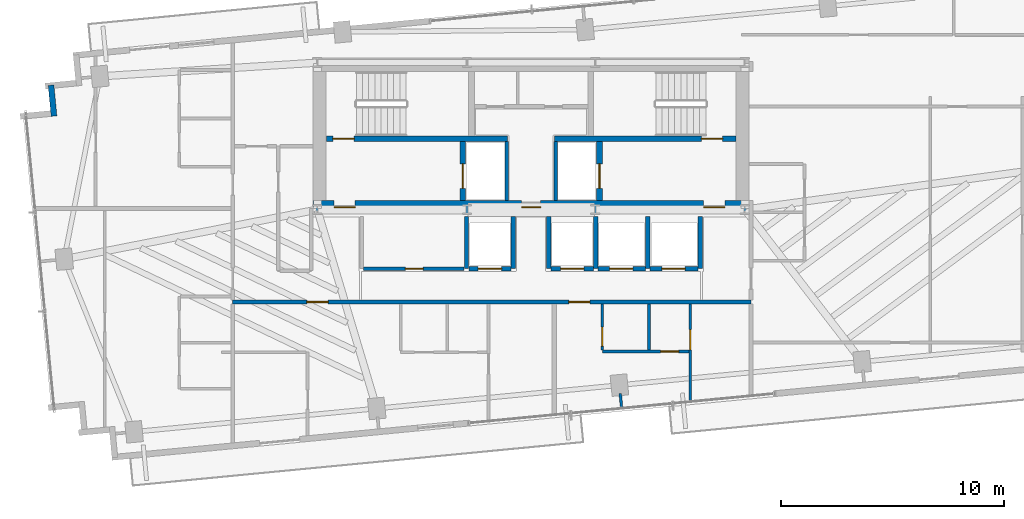
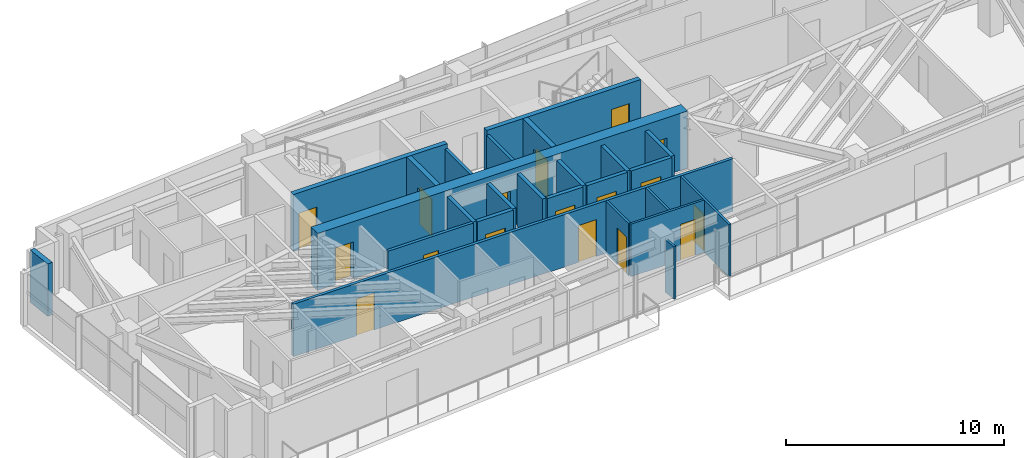
# One storey, part 14 of 18: 25 walls, 17 doors, 17 openings.
"""IFC4 building model written with IfcOpenShell, lengths in metres."""

from ifc_helpers import new_model, si_unit, direction, frame, frame_2d, origin, place, context, subcontext, project, spatial, rectangle, extrude, source, transform, mapped, material, layer, layer_set, type_object, type_shapes, element, fill, save


model = new_model("IFC4")

# Units and contexts
model_context = context("Model", 3, precision=1e-05, world=origin(), true_north=direction((0.0, 1.0)))
body_context = subcontext(model_context, "Body", "Model", "MODEL_VIEW")
ifc_project = project(units=[si_unit("LENGTHUNIT", "METRE"), si_unit("AREAUNIT", "SQUARE_METRE"), si_unit("VOLUMEUNIT", "CUBIC_METRE"), si_unit("PLANEANGLEUNIT", "RADIAN"), si_unit("MASSUNIT", "GRAM", prefix="KILO")], contexts=[model_context])

# Site, building, storey
site_placement = place(None, origin())
site = spatial("IfcSite", under=ifc_project, at=site_placement, CompositionType="ELEMENT")
building_placement = place(site_placement, origin())
building = spatial("IfcBuilding", under=site, at=building_placement, Name="Astriad Promenade Condominiums", CompositionType="ELEMENT")
storey_placement = place(building_placement, frame((0.0, 0.0, 182.60009765625)))
storey = spatial("IfcBuildingStorey", under=building, at=storey_placement, Name="L52", CompositionType="ELEMENT", Elevation=182.60009765625)

# Wall, openings, doors
ifc_material_1 = material(Name="Concrete C50/60", Category="concrete")
ifc_layer_1 = layer(ifc_material_1, 0.60009765625)
ifc_layer_set_1 = layer_set([ifc_layer_1], Name="Concrete C50/60")
wall_type_1 = type_object("IfcWallType", Name="CW-SHEAR-600", PredefinedType="SHEAR", material=ifc_layer_set_1)
wall_1_placement = place(storey_placement, frame((26.199951171875, 17.5, 0.0), z_axis=(0.0, 0.0, 1.0), x_axis=(1.0, 0.0, 0.0)))
wall_1 = element("IfcWall", 1, at=wall_1_placement, inside=storey, type_object=wall_type_1, Name="CW-CORE-S-L52", PredefinedType="SHEAR", context=body_context, shape_type="SweptSolid", body=[
    extrude(rectangle(XDim=19.60009765625, YDim=0.60009765625, at=frame_2d((9.800048828125, 0.0))), origin(), (0.0, 0.0, 1.0), 3.199951171875),
])
opening_1_placement = place(wall_1_placement, frame((0.949951171875, 0.0, 0.0)))
opening_1 = element("IfcOpeningElement", 2, at=opening_1_placement, cuts=wall_1, Name="Opening FD90-ST-095", PredefinedType="OPENING", context=body_context, shape_type="SweptSolid", body=[
    extrude(rectangle(XDim=0.949951171875, YDim=2.06005859375, at=frame_2d((0.47509765625, 1.030029296875))), frame((0.0, 0.31005859375, 0.0), z_axis=(0.0, -1.0, 0.0), x_axis=(1.0, 0.0, 0.0)), (0.0, 0.0, 1.0), 0.6201171875),
])
opening_2_placement = place(wall_1_placement, frame((9.3798828125, 0.0, 0.0)))
opening_2 = element("IfcOpeningElement", 3, at=opening_2_placement, cuts=wall_1, Name="Opening FD60-ULOW-085", PredefinedType="OPENING", context=body_context, shape_type="SweptSolid", body=[
    extrude(rectangle(XDim=0.85009765625, YDim=2.0, at=frame_2d((0.425048828125, 1.0))), frame((0.0, 0.31005859375, 0.0), z_axis=(0.0, -1.0, 0.0), x_axis=(1.0, 0.0, 0.0)), (0.0, 0.0, 1.0), 0.6201171875),
])
opening_3_placement = place(wall_1_placement, frame((17.550048828125, 0.0, 0.0)))
opening_3 = element("IfcOpeningElement", 4, at=opening_3_placement, cuts=wall_1, Name="Opening FD90-ST-095", PredefinedType="OPENING", context=body_context, shape_type="SweptSolid", body=[
    extrude(rectangle(XDim=0.949951171875, YDim=2.06005859375, at=frame_2d((0.47509765625, 1.030029296875))), frame((0.0, 0.31005859375, 0.0), z_axis=(0.0, -1.0, 0.0), x_axis=(1.0, 0.0, 0.0)), (0.0, 0.0, 1.0), 0.6201171875),
])
ifc_material_2 = material(Name="Fire-Rated Hollow Metal Stair Door")
door_type_1 = type_object("IfcDoorType", Name="FD90-ST-095", OperationType="NOTDEFINED", PredefinedType="DOOR", material=ifc_material_2)
shared_shape_1 = source(origin(), body_context, "Body", "SweptSolid", [
    extrude(rectangle(XDim=0.949951171875, YDim=2.06005859375, at=frame_2d((0.47509765625, 1.030029296875))), frame((0.0, 0.02490234375, 0.0), z_axis=(0.0, -1.0, 0.0), x_axis=(1.0, 0.0, 0.0)), (0.0, 0.0, 1.0), 0.050048828125),
])
type_shapes(door_type_1, [shared_shape_1])
door_1_placement = place(opening_1_placement, origin())
door_1 = element("IfcDoor", 5, at=door_1_placement, inside=storey, type_object=door_type_1, Name="D-FFW-L52", OperationType="SINGLE_SWING_LEFT", OverallHeight=2.06005859375, OverallWidth=0.949951171875, PredefinedType="DOOR", context=body_context, shape_type="MappedRepresentation", body=[
    mapped(shared_shape_1, transform((0.0, 0.0, 0.0), scale=1.0)),
])
fill(opening_1, door_1)
door_2_placement = place(opening_3_placement, origin())
door_2 = element("IfcDoor", 6, at=door_2_placement, inside=storey, type_object=door_type_1, Name="D-FFE-L52", OperationType="SINGLE_SWING_RIGHT", OverallHeight=2.06005859375, OverallWidth=0.949951171875, PredefinedType="DOOR", context=body_context, shape_type="MappedRepresentation", body=[
    mapped(shared_shape_1, transform((0.0, 0.0, 0.0), scale=1.0)),
])
fill(opening_3, door_2)
ifc_material_3 = material(Name="Solid-Core Low-Headroom Fire Door")
door_type_2 = type_object("IfcDoorType", Name="FD60-ULOW-085", OperationType="NOTDEFINED", PredefinedType="DOOR", material=ifc_material_3)
shared_shape_2 = source(origin(), body_context, "Body", "SweptSolid", [
    extrude(rectangle(XDim=0.85009765625, YDim=2.0, at=frame_2d((0.425048828125, 1.0))), frame((0.0, 0.02490234375, 0.0), z_axis=(0.0, -1.0, 0.0), x_axis=(1.0, 0.0, 0.0)), (0.0, 0.0, 1.0), 0.050048828125),
])
type_shapes(door_type_2, [shared_shape_2])
door_3_placement = place(opening_2_placement, origin())
door_3 = element("IfcDoor", 7, at=door_3_placement, inside=storey, type_object=door_type_2, Name="D-CSL-L52", OperationType="SINGLE_SWING_RIGHT", OverallHeight=2.0, OverallWidth=0.85009765625, PredefinedType="DOOR", context=body_context, shape_type="MappedRepresentation", body=[
    mapped(shared_shape_2, transform((0.0, 0.0, 0.0), scale=1.0)),
])
fill(opening_2, door_3)

# Wall, opening, door
ifc_layer_2 = layer(ifc_material_1, 0.25)
ifc_layer_set_2 = layer_set([ifc_layer_2], Name="Concrete C50/60")
wall_type_2 = type_object("IfcWallType", Name="WALL-CORE-INT-250", PredefinedType="SOLIDWALL", material=ifc_layer_set_2)
wall_2_placement = place(storey_placement, frame((26.802001953125, 20.574951171875, 0.0), z_axis=(0.0, 0.0, 1.0), x_axis=(1.0, 0.0, 0.0)))
wall_2 = element("IfcWall", 8, at=wall_2_placement, inside=storey, type_object=wall_type_2, Name="CW-INT-H1-L52", PredefinedType="SOLIDWALL", context=body_context, shape_type="SweptSolid", body=[
    extrude(rectangle(XDim=8.14794921875, YDim=0.25, at=frame_2d((4.073974609375, 0.0))), origin(), (0.0, 0.0, 1.0), 3.199951171875),
])
opening_4_placement = place(wall_2_placement, frame((0.298095703125, 0.0, 0.0)))
opening_4 = element("IfcOpeningElement", 9, at=opening_4_placement, cuts=wall_2, Name="Opening FD90-ST-095", PredefinedType="OPENING", context=body_context, shape_type="SweptSolid", body=[
    extrude(rectangle(XDim=0.949951171875, YDim=2.06005859375, at=frame_2d((0.47509765625, 1.030029296875))), frame((0.0, 0.135009765625, 0.0), z_axis=(0.0, -1.0, 0.0), x_axis=(1.0, 0.0, 0.0)), (0.0, 0.0, 1.0), 0.27001953125),
])
door_4_placement = place(opening_4_placement, origin())
door_4 = element("IfcDoor", 10, at=door_4_placement, inside=storey, type_object=door_type_1, Name="D-ST1-L52", OperationType="SINGLE_SWING_LEFT", OverallHeight=2.06005859375, OverallWidth=0.949951171875, PredefinedType="DOOR", context=body_context, shape_type="MappedRepresentation", body=[
    mapped(shared_shape_1, transform((0.0, 0.0, 0.0), scale=1.0)),
])
fill(opening_4, door_4)

wall_3_placement = place(storey_placement, frame((37.050048828125, 20.574951171875, 0.0), z_axis=(0.0, 0.0, 1.0), x_axis=(1.0, 0.0, 0.0)))
wall_3 = element("IfcWall", 11, at=wall_3_placement, inside=storey, type_object=wall_type_2, Name="CW-INT-H2-L52", PredefinedType="SOLIDWALL", context=body_context, shape_type="SweptSolid", body=[
    extrude(rectangle(XDim=8.14794921875, YDim=0.25, at=frame_2d((4.073974609375, 0.0))), origin(), (0.0, 0.0, 1.0), 3.199951171875),
])
opening_5_placement = place(wall_3_placement, frame((6.60009765625, 0.0, 0.0)))
opening_5 = element("IfcOpeningElement", 12, at=opening_5_placement, cuts=wall_3, Name="Opening FD90-ST-095", PredefinedType="OPENING", context=body_context, shape_type="SweptSolid", body=[
    extrude(rectangle(XDim=0.949951171875, YDim=2.06005859375, at=frame_2d((0.47509765625, 1.030029296875))), frame((0.0, 0.135009765625, 0.0), z_axis=(0.0, -1.0, 0.0), x_axis=(1.0, 0.0, 0.0)), (0.0, 0.0, 1.0), 0.27001953125),
])
door_5_placement = place(opening_5_placement, origin())
door_5 = element("IfcDoor", 13, at=door_5_placement, inside=storey, type_object=door_type_1, Name="D-ST2-L52", OperationType="SINGLE_SWING_RIGHT", OverallHeight=2.06005859375, OverallWidth=0.949951171875, PredefinedType="DOOR", context=body_context, shape_type="MappedRepresentation", body=[
    mapped(shared_shape_1, transform((0.0, 0.0, 0.0), scale=1.0)),
])
fill(opening_5, door_5)

wall_4_placement = place(storey_placement, frame((32.925048828125, 17.802001953125, 0.0), z_axis=(0.0, 0.0, 1.0), x_axis=(0.0, 1.0, 0.0)))
wall_4 = element("IfcWall", 14, at=wall_4_placement, inside=storey, type_object=wall_type_2, Name="CW-FFL1-W-L52", PredefinedType="SOLIDWALL", context=body_context, shape_type="SweptSolid", body=[
    extrude(rectangle(XDim=2.64599609375, YDim=0.25, at=frame_2d((1.322998046875, 0.0))), origin(), (0.0, 0.0, 1.0), 3.199951171875),
])
opening_6_placement = place(wall_4_placement, frame((0.548095703125, 0.0, 0.0)))
opening_6 = element("IfcOpeningElement", 15, at=opening_6_placement, cuts=wall_4, Name="Opening LD-FFL-1122", PredefinedType="OPENING", context=body_context, shape_type="SweptSolid", body=[
    extrude(rectangle(XDim=1.10009765625, YDim=2.080078125, at=frame_2d((0.550048828125, 1.0400390625))), frame((0.0, 0.135009765625, 0.0), z_axis=(0.0, -1.0, 0.0), x_axis=(1.0, 0.0, 0.0)), (0.0, 0.0, 1.0), 0.27001953125),
])
ifc_material_4 = material(Name="Brushed Stainless Steel Fire Elevator Landing Door", Category="steel")
door_type_3 = type_object("IfcDoorType", Name="LD-FFL-1122", OperationType="NOTDEFINED", PredefinedType="DOOR", material=ifc_material_4)
shared_shape_3 = source(origin(), body_context, "Body", "SweptSolid", [
    extrude(rectangle(XDim=1.10009765625, YDim=2.080078125, at=frame_2d((0.550048828125, 1.0400390625))), frame((0.0, 0.02490234375, 0.0), z_axis=(0.0, -1.0, 0.0), x_axis=(1.0, 0.0, 0.0)), (0.0, 0.0, 1.0), 0.050048828125),
])
type_shapes(door_type_3, [shared_shape_3])
door_6_placement = place(opening_6_placement, origin())
door_6 = element("IfcDoor", 16, at=door_6_placement, inside=storey, type_object=door_type_3, Name="Elevator Landing Door FFL-1 (L52)", OperationType="SLIDING_TO_LEFT", OverallHeight=2.080078125, OverallWidth=1.10009765625, PredefinedType="DOOR", context=body_context, shape_type="MappedRepresentation", body=[
    mapped(shared_shape_3, transform((0.0, 0.0, 0.0), scale=1.0)),
])
fill(opening_6, door_6)

wall_5_placement = place(storey_placement, frame((39.074951171875, 17.802001953125, 0.0), z_axis=(0.0, 0.0, 1.0), x_axis=(0.0, 1.0, 0.0)))
wall_5 = element("IfcWall", 17, at=wall_5_placement, inside=storey, type_object=wall_type_2, Name="CW-FFL2-E-L52", PredefinedType="SOLIDWALL", context=body_context, shape_type="SweptSolid", body=[
    extrude(rectangle(XDim=2.64599609375, YDim=0.25, at=frame_2d((1.322998046875, 0.0))), origin(), (0.0, 0.0, 1.0), 3.199951171875),
])
opening_7_placement = place(wall_5_placement, frame((0.548095703125, 0.0, 0.0)))
opening_7 = element("IfcOpeningElement", 18, at=opening_7_placement, cuts=wall_5, Name="Opening LD-FFL-1122", PredefinedType="OPENING", context=body_context, shape_type="SweptSolid", body=[
    extrude(rectangle(XDim=1.10009765625, YDim=2.080078125, at=frame_2d((0.550048828125, 1.0400390625))), frame((0.0, 0.135009765625, 0.0), z_axis=(0.0, -1.0, 0.0), x_axis=(1.0, 0.0, 0.0)), (0.0, 0.0, 1.0), 0.27001953125),
])
door_7_placement = place(opening_7_placement, origin())
door_7 = element("IfcDoor", 19, at=door_7_placement, inside=storey, type_object=door_type_3, Name="Elevator Landing Door FFL-2 (L52)", OperationType="SLIDING_TO_RIGHT", OverallHeight=2.080078125, OverallWidth=1.10009765625, PredefinedType="DOOR", context=body_context, shape_type="MappedRepresentation", body=[
    mapped(shared_shape_3, transform((0.0, 0.0, 0.0), scale=1.0)),
])
fill(opening_7, door_7)

# Walls
ifc_material_5 = material(Name="Fire-Rated Gypsum Partition")
ifc_layer_3 = layer(ifc_material_5, 0.159912109375)
ifc_layer_set_3 = layer_set([ifc_layer_3], Name="Fire-Rated Gypsum Partition")
wall_type_3 = type_object("IfcWallType", Name="WALL-CORR-160", PredefinedType="PARTITIONING", material=ifc_layer_set_3)
for number, where, z_axis, x_axis, name in (
    (20, (34.89990234375, 17.802001953125, 0.0), (0.0, 0.0, 1.0), (0.0, 1.0, 0.0), "CW-FFL1-E-L52"),
    (21, (37.10009765625, 17.802001953125, 0.0), (0.0, 0.0, 1.0), (0.0, 1.0, 0.0), "CW-FFL2-W-L52"),
):
    element("IfcWall", number, at=place(storey_placement, frame(where, z_axis=z_axis, x_axis=x_axis)), inside=storey, type_object=wall_type_3, Name=name, PredefinedType="PARTITIONING", context=body_context, shape_type="SweptSolid", body=[
        extrude(rectangle(XDim=2.64599609375, YDim=0.159912109375, at=frame_2d((1.322998046875, 0.0))), origin(), (0.0, 0.0, 1.0), 2.93994140625),
    ])

# Wall, opening, door
wall_6_placement = place(storey_placement, frame((28.48193359375, 14.75, 0.0), z_axis=(0.0, 0.0, 1.0), x_axis=(1.0, 0.0, 0.0)))
wall_6 = element("IfcWall", 22, at=wall_6_placement, inside=storey, type_object=wall_type_3, Name="REC-L-S-L52", PredefinedType="PARTITIONING", context=body_context, shape_type="SweptSolid", body=[
    extrude(rectangle(XDim=4.51611328125, YDim=0.159912109375, at=frame_2d((2.258056640625, 0.0))), origin(), (0.0, 0.0, 1.0), 2.93994140625),
])
opening_8_placement = place(wall_6_placement, frame((1.867919921875, 0.0, 0.0)))
opening_8 = element("IfcOpeningElement", 23, at=opening_8_placement, cuts=wall_6, Name="Opening FD60-SV-080", PredefinedType="OPENING", context=body_context, shape_type="SweptSolid", body=[
    extrude(rectangle(XDim=0.800048828125, YDim=2.050048828125, at=frame_2d((0.39990234375, 1.02490234375))), frame((0.0, 0.08984375, 0.0), z_axis=(0.0, -1.0, 0.0), x_axis=(1.0, 0.0, 0.0)), (0.0, 0.0, 1.0), 0.179931640625),
])
ifc_material_6 = material(Name="Fire-Rated Riser Closet Door")
door_type_4 = type_object("IfcDoorType", Name="FD60-SV-080", OperationType="NOTDEFINED", PredefinedType="DOOR", material=ifc_material_6)
shared_shape_4 = source(origin(), body_context, "Body", "SweptSolid", [
    extrude(rectangle(XDim=0.800048828125, YDim=2.050048828125, at=frame_2d((0.39990234375, 1.02490234375))), frame((0.0, 0.02490234375, 0.0), z_axis=(0.0, -1.0, 0.0), x_axis=(1.0, 0.0, 0.0)), (0.0, 0.0, 1.0), 0.050048828125),
])
type_shapes(door_type_4, [shared_shape_4])
door_8_placement = place(opening_8_placement, origin())
door_8 = element("IfcDoor", 24, at=door_8_placement, inside=storey, type_object=door_type_4, Name="D-RECL-L52", OperationType="SINGLE_SWING_LEFT", OverallHeight=2.050048828125, OverallWidth=0.800048828125, PredefinedType="DOOR", context=body_context, shape_type="MappedRepresentation", body=[
    mapped(shared_shape_4, transform((0.0, 0.0, 0.0), scale=1.0)),
])
fill(opening_8, door_8)

# Wall, openings, doors
wall_7_placement = place(storey_placement, frame((22.60009765625, 13.25, 0.0), z_axis=(0.0, 0.0, 1.0), x_axis=(1.0, 0.0, 0.0)))
wall_7 = element("IfcWall", 25, at=wall_7_placement, inside=storey, type_object=wall_type_3, Name="PT-COR-S-L52", PredefinedType="PARTITIONING", context=body_context, shape_type="SweptSolid", body=[
    extrude(rectangle(XDim=23.27978515625, YDim=0.159912109375, at=frame_2d((11.639892578125, 0.0))), origin(), (0.0, 0.0, 1.0), 2.93994140625),
])
opening_9_placement = place(wall_7_placement, frame((3.3349609375, 0.0, 0.0)))
opening_9 = element("IfcOpeningElement", 26, at=opening_9_placement, cuts=wall_7, Name="Opening FD60-APT-095", PredefinedType="OPENING", context=body_context, shape_type="SweptSolid", body=[
    extrude(rectangle(XDim=0.949951171875, YDim=2.06005859375, at=frame_2d((0.47509765625, 1.030029296875))), frame((0.0, 0.08984375, 0.0), z_axis=(0.0, -1.0, 0.0), x_axis=(1.0, 0.0, 0.0)), (0.0, 0.0, 1.0), 0.179931640625),
])
opening_10_placement = place(wall_7_placement, frame((15.095947265625, 0.0, 0.0)))
opening_10 = element("IfcOpeningElement", 27, at=opening_10_placement, cuts=wall_7, Name="Opening FD60-APT-095", PredefinedType="OPENING", context=body_context, shape_type="SweptSolid", body=[
    extrude(rectangle(XDim=0.949951171875, YDim=2.06005859375, at=frame_2d((0.47509765625, 1.030029296875))), frame((0.0, 0.08984375, 0.0), z_axis=(0.0, -1.0, 0.0), x_axis=(1.0, 0.0, 0.0)), (0.0, 0.0, 1.0), 0.179931640625),
])
ifc_material_7 = material(Name="Solid-Core Acoustic Timber Residence Entry Door", Category="wood")
door_type_5 = type_object("IfcDoorType", Name="FD60-APT-095", OperationType="NOTDEFINED", PredefinedType="DOOR", material=ifc_material_7)
shared_shape_5 = source(origin(), body_context, "Body", "SweptSolid", [
    extrude(rectangle(XDim=0.949951171875, YDim=2.06005859375, at=frame_2d((0.47509765625, 1.030029296875))), frame((0.0, 0.02490234375, 0.0), z_axis=(0.0, -1.0, 0.0), x_axis=(1.0, 0.0, 0.0)), (0.0, 0.0, 1.0), 0.050048828125),
])
type_shapes(door_type_5, [shared_shape_5])
door_9_placement = place(opening_9_placement, origin())
door_9 = element("IfcDoor", 28, at=door_9_placement, inside=storey, type_object=door_type_5, Name="D-ENT-L52-S1", OperationType="SINGLE_SWING_LEFT", OverallHeight=2.06005859375, OverallWidth=0.949951171875, PredefinedType="DOOR", context=body_context, shape_type="MappedRepresentation", body=[
    mapped(shared_shape_5, transform((0.0, 0.0, 0.0), scale=1.0)),
])
fill(opening_9, door_9)
door_10_placement = place(opening_10_placement, origin())
door_10 = element("IfcDoor", 29, at=door_10_placement, inside=storey, type_object=door_type_5, Name="D-ENT-L52-S2", OperationType="SINGLE_SWING_LEFT", OverallHeight=2.06005859375, OverallWidth=0.949951171875, PredefinedType="DOOR", context=body_context, shape_type="MappedRepresentation", body=[
    mapped(shared_shape_5, transform((0.0, 0.0, 0.0), scale=1.0)),
])
fill(opening_10, door_10)

# Wall
ifc_material_8 = material(Name="Precast concrete C50/60", Category="concrete")
ifc_layer_4 = layer(ifc_material_8, 0.260009765625)
ifc_layer_set_4 = layer_set([ifc_layer_4], Name="Precast concrete C50/60")
wall_type_4 = type_object("IfcWallType", Name="WALL-EXT-TWR-260", PredefinedType="STANDARD", material=ifc_layer_set_4)
wall_8_placement = place(storey_placement, frame((14.57373046875, 21.5986328125, 0.0), z_axis=(0.0, 0.0, 1.0), x_axis=(-0.095742423056, 0.99540614245, 0.0)))
element("IfcWall", 30, at=wall_8_placement, inside=storey, type_object=wall_type_4, Name="W-SER-L52-05", PredefinedType="STANDARD", context=body_context, shape_type="SweptSolid", body=[
    extrude(rectangle(XDim=1.394775390625, YDim=0.260009765625, at=frame_2d((0.697265625, 0.0))), origin(), (0.0, 0.0, 1.0), 2.93994140625),
])

# Wall, opening, door
ifc_material_9 = material(Name="Acoustic Metal-Stud Gypsum Partition")
ifc_layer_5 = layer(ifc_material_9, 0.1201171875)
ifc_layer_set_5 = layer_set([ifc_layer_5], Name="Acoustic Metal-Stud Gypsum Partition")
wall_type_5 = type_object("IfcWallType", Name="WALL-PART-120", PredefinedType="PARTITIONING", material=ifc_layer_set_5)
wall_9_placement = place(storey_placement, frame((43.14990234375, 8.71826171875, 0.0), z_axis=(0.0, 0.0, 1.0), x_axis=(0.0, 1.0, 0.0)))
wall_9 = element("IfcWall", 31, at=wall_9_placement, inside=storey, type_object=wall_type_5, Name="PT-L52-S2-BD1", PredefinedType="PARTITIONING", context=body_context, shape_type="SweptSolid", body=[
    extrude(rectangle(XDim=4.44970703125, YDim=0.1201171875, at=frame_2d((2.224853515625, 0.0))), origin(), (0.0, 0.0, 1.0), 2.93994140625),
])
opening_11_placement = place(wall_9_placement, frame((2.3857421875, 0.0, 0.0)))
opening_11 = element("IfcOpeningElement", 32, at=opening_11_placement, cuts=wall_9, Name="Opening D-INT-090", PredefinedType="OPENING", context=body_context, shape_type="SweptSolid", body=[
    extrude(rectangle(XDim=0.89990234375, YDim=2.050048828125, at=frame_2d((0.449951171875, 1.02490234375))), frame((0.0, 0.070068359375, 0.0), z_axis=(0.0, -1.0, 0.0), x_axis=(1.0, 0.0, 0.0)), (0.0, 0.0, 1.0), 0.14013671875),
])
ifc_material_10 = material(Name="Painted Solid-Core Timber Bedroom Door", Category="wood")
door_type_6 = type_object("IfcDoorType", Name="D-INT-090", OperationType="NOTDEFINED", PredefinedType="DOOR", material=ifc_material_10)
shared_shape_6 = source(origin(), body_context, "Body", "SweptSolid", [
    extrude(rectangle(XDim=0.89990234375, YDim=2.050048828125, at=frame_2d((0.449951171875, 1.02490234375))), frame((0.0, 0.02490234375, 0.0), z_axis=(0.0, -1.0, 0.0), x_axis=(1.0, 0.0, 0.0)), (0.0, 0.0, 1.0), 0.050048828125),
])
type_shapes(door_type_6, [shared_shape_6])
door_11_placement = place(opening_11_placement, origin())
door_11 = element("IfcDoor", 33, at=door_11_placement, inside=storey, type_object=door_type_6, Name="D-BD1-L52-S2", OperationType="SINGLE_SWING_RIGHT", OverallHeight=2.050048828125, OverallWidth=0.89990234375, PredefinedType="DOOR", context=body_context, shape_type="MappedRepresentation", body=[
    mapped(shared_shape_6, transform((0.0, 0.0, 0.0), scale=1.0)),
])
fill(opening_11, door_11)

wall_10_placement = place(storey_placement, frame((39.199951171875, 11.028076171875, 0.0), z_axis=(0.0, 0.0, 1.0), x_axis=(1.0, 0.0, 0.0)))
wall_10 = element("IfcWall", 34, at=wall_10_placement, inside=storey, type_object=wall_type_5, Name="PT-L52-S2-PS", PredefinedType="PARTITIONING", context=body_context, shape_type="SweptSolid", body=[
    extrude(rectangle(XDim=3.887939453125, YDim=0.1201171875, at=frame_2d((1.94384765625, 0.0))), origin(), (0.0, 0.0, 1.0), 2.93994140625),
])
opening_12_placement = place(wall_10_placement, frame((2.625, 0.0, 0.0)))
opening_12 = element("IfcOpeningElement", 35, at=opening_12_placement, cuts=wall_10, Name="Opening D-WET-080", PredefinedType="OPENING", context=body_context, shape_type="SweptSolid", body=[
    extrude(rectangle(XDim=0.800048828125, YDim=2.02001953125, at=frame_2d((0.39990234375, 1.010009765625))), frame((0.0, 0.070068359375, 0.0), z_axis=(0.0, -1.0, 0.0), x_axis=(1.0, 0.0, 0.0)), (0.0, 0.0, 1.0), 0.14013671875),
])
ifc_material_11 = material(Name="Moisture-Resistant Timber Bathroom Door", Category="wood")
door_type_7 = type_object("IfcDoorType", Name="D-WET-080", OperationType="NOTDEFINED", PredefinedType="DOOR", material=ifc_material_11)
shared_shape_7 = source(origin(), body_context, "Body", "SweptSolid", [
    extrude(rectangle(XDim=0.800048828125, YDim=2.02001953125, at=frame_2d((0.39990234375, 1.010009765625))), frame((0.0, 0.02490234375, 0.0), z_axis=(0.0, -1.0, 0.0), x_axis=(1.0, 0.0, 0.0)), (0.0, 0.0, 1.0), 0.050048828125),
])
type_shapes(door_type_7, [shared_shape_7])
door_12_placement = place(opening_12_placement, origin())
door_12 = element("IfcDoor", 36, at=door_12_placement, inside=storey, type_object=door_type_7, Name="D-BTH-L52-S2", OperationType="SINGLE_SWING_RIGHT", OverallHeight=2.02001953125, OverallWidth=0.800048828125, PredefinedType="DOOR", context=body_context, shape_type="MappedRepresentation", body=[
    mapped(shared_shape_7, transform((0.0, 0.0, 0.0), scale=1.0)),
])
fill(opening_12, door_12)

# Wall
wall_11_placement = place(storey_placement, frame((41.300048828125, 11.090087890625, 0.0), z_axis=(0.0, 0.0, 1.0), x_axis=(0.0, 1.0, 0.0)))
element("IfcWall", 37, at=wall_11_placement, inside=storey, type_object=wall_type_5, Name="PT-L52-S2-PBK", PredefinedType="PARTITIONING", context=body_context, shape_type="SweptSolid", body=[
    extrude(rectangle(XDim=2.077880859375, YDim=0.1201171875, at=frame_2d((1.0390625, 0.0))), origin(), (0.0, 0.0, 1.0), 2.93994140625),
])

# Wall, opening, door
wall_12_placement = place(storey_placement, frame((39.199951171875, 11.090087890625, 0.0), z_axis=(0.0, 0.0, 1.0), x_axis=(0.0, 1.0, 0.0)))
wall_12 = element("IfcWall", 38, at=wall_12_placement, inside=storey, type_object=wall_type_5, Name="PT-L52-S2-PKW", PredefinedType="PARTITIONING", context=body_context, shape_type="SweptSolid", body=[
    extrude(rectangle(XDim=2.077880859375, YDim=0.1201171875, at=frame_2d((1.0390625, 0.0))), origin(), (0.0, 0.0, 1.0), 2.93994140625),
])
opening_13_placement = place(wall_12_placement, frame((0.179931640625, 0.0, 0.0)))
opening_13 = element("IfcOpeningElement", 39, at=opening_13_placement, cuts=wall_12, Name="Opening D-INT-085", PredefinedType="OPENING", context=body_context, shape_type="SweptSolid", body=[
    extrude(rectangle(XDim=0.85009765625, YDim=2.050048828125, at=frame_2d((0.425048828125, 1.02490234375))), frame((0.0, 0.070068359375, 0.0), z_axis=(0.0, -1.0, 0.0), x_axis=(1.0, 0.0, 0.0)), (0.0, 0.0, 1.0), 0.14013671875),
])
ifc_material_12 = material(Name="Painted Solid-Core Timber Room Door", Category="wood")
door_type_8 = type_object("IfcDoorType", Name="D-INT-085", OperationType="NOTDEFINED", PredefinedType="DOOR", material=ifc_material_12)
shared_shape_8 = source(origin(), body_context, "Body", "SweptSolid", [
    extrude(rectangle(XDim=0.85009765625, YDim=2.050048828125, at=frame_2d((0.425048828125, 1.02490234375))), frame((0.0, 0.02490234375, 0.0), z_axis=(0.0, -1.0, 0.0), x_axis=(1.0, 0.0, 0.0)), (0.0, 0.0, 1.0), 0.050048828125),
])
type_shapes(door_type_8, [shared_shape_8])
door_13_placement = place(opening_13_placement, origin())
door_13 = element("IfcDoor", 40, at=door_13_placement, inside=storey, type_object=door_type_8, Name="D-KIT-L52-S2", OperationType="SINGLE_SWING_LEFT", OverallHeight=2.050048828125, OverallWidth=0.85009765625, PredefinedType="DOOR", context=body_context, shape_type="MappedRepresentation", body=[
    mapped(shared_shape_8, transform((0.0, 0.0, 0.0), scale=1.0)),
])
fill(opening_13, door_13)

# Walls
wall_13_placement = place(storey_placement, frame((40.005126953125, 9.138671875, 0.0), z_axis=(0.0, 0.0, 1.0), x_axis=(0.095977354523, -0.995383517755, 0.0)))
element("IfcWall", 41, at=wall_13_placement, inside=storey, type_object=wall_type_5, Name="PT-PIL-L52-PC03-10", PredefinedType="PARTITIONING", context=body_context, shape_type="SweptSolid", body=[
    extrude(rectangle(XDim=0.719970703125, YDim=0.1201171875, at=frame_2d((0.35986328125, 0.0))), origin(), (0.0, 0.0, 1.0), 2.93994140625),
])
ifc_material_13 = material(Name="Gypsum Shaftliner Assembly")
ifc_layer_6 = layer(ifc_material_13, 0.199951171875)
ifc_layer_set_6 = layer_set([ifc_layer_6], Name="Gypsum Shaftliner Assembly")
wall_type_6 = type_object("IfcWallType", Name="WALL-SHAFT-200", PredefinedType="PARTITIONING", material=ifc_layer_set_6)
for number, where, z_axis, x_axis, name in (
    (42, (33.10009765625, 14.75, 0.0), (0.0, 0.0, 1.0), (0.0, 1.0, 0.0), "REC-L-E-L52"),
    (43, (35.199951171875, 14.75, 0.0), (0.0, 0.0, 1.0), (0.0, 1.0, 0.0), "PL-M1-E-L52"),
):
    element("IfcWall", number, at=place(storey_placement, frame(where, z_axis=z_axis, x_axis=x_axis)), inside=storey, type_object=wall_type_6, Name=name, PredefinedType="PARTITIONING", context=body_context, shape_type="SweptSolid", body=[
        extrude(rectangle(XDim=2.35009765625, YDim=0.199951171875, at=frame_2d((1.175048828125, 0.0))), origin(), (0.0, 0.0, 1.0), 2.93994140625),
    ])

# Wall, opening, door
wall_14_placement = place(storey_placement, frame((33.201904296875, 14.75, 0.0), z_axis=(0.0, 0.0, 1.0), x_axis=(1.0, 0.0, 0.0)))
wall_14 = element("IfcWall", 44, at=wall_14_placement, inside=storey, type_object=wall_type_6, Name="PL-M1-F-L52", PredefinedType="PARTITIONING", context=body_context, shape_type="SweptSolid", body=[
    extrude(rectangle(XDim=1.89599609375, YDim=0.199951171875, at=frame_2d((0.947998046875, 0.0))), origin(), (0.0, 0.0, 1.0), 2.93994140625),
])
opening_14_placement = place(wall_14_placement, frame((0.423095703125, 0.0, 0.0)))
opening_14 = element("IfcOpeningElement", 45, at=opening_14_placement, cuts=wall_14, Name="Opening LD-PL-10522", PredefinedType="OPENING", context=body_context, shape_type="SweptSolid", body=[
    extrude(rectangle(XDim=1.050048828125, YDim=2.080078125, at=frame_2d((0.52490234375, 1.0400390625))), frame((0.0, 0.10986328125, 0.0), z_axis=(0.0, -1.0, 0.0), x_axis=(1.0, 0.0, 0.0)), (0.0, 0.0, 1.0), 0.219970703125),
])
ifc_material_14 = material(Name="Brushed Bronze Passenger Elevator Landing Door")
door_type_9 = type_object("IfcDoorType", Name="LD-PL-10522", OperationType="NOTDEFINED", PredefinedType="DOOR", material=ifc_material_14)
shared_shape_9 = source(origin(), body_context, "Body", "SweptSolid", [
    extrude(rectangle(XDim=1.050048828125, YDim=2.080078125, at=frame_2d((0.52490234375, 1.0400390625))), frame((0.0, 0.02490234375, 0.0), z_axis=(0.0, -1.0, 0.0), x_axis=(1.0, 0.0, 0.0)), (0.0, 0.0, 1.0), 0.050048828125),
])
type_shapes(door_type_9, [shared_shape_9])
door_14_placement = place(opening_14_placement, origin())
door_14 = element("IfcDoor", 46, at=door_14_placement, inside=storey, type_object=door_type_9, Name="Elevator Landing Door PL-M1 (L52)", OperationType="SLIDING_TO_LEFT", OverallHeight=2.080078125, OverallWidth=1.050048828125, PredefinedType="DOOR", context=body_context, shape_type="MappedRepresentation", body=[
    mapped(shared_shape_9, transform((0.0, 0.0, 0.0), scale=1.0)),
])
fill(opening_14, door_14)

# Walls
for number, where, z_axis, x_axis, name in (
    (47, (36.800048828125, 14.75, 0.0), (0.0, 0.0, 1.0), (0.0, 1.0, 0.0), "PL-M2-W-L52"),
    (48, (38.89990234375, 14.75, 0.0), (0.0, 0.0, 1.0), (0.0, 1.0, 0.0), "PL-MH-DIV-L52"),
):
    element("IfcWall", number, at=place(storey_placement, frame(where, z_axis=z_axis, x_axis=x_axis)), inside=storey, type_object=wall_type_6, Name=name, PredefinedType="PARTITIONING", context=body_context, shape_type="SweptSolid", body=[
        extrude(rectangle(XDim=2.35009765625, YDim=0.199951171875, at=frame_2d((1.175048828125, 0.0))), origin(), (0.0, 0.0, 1.0), 2.93994140625),
    ])

# Wall, opening, door
wall_15_placement = place(storey_placement, frame((36.902099609375, 14.75, 0.0), z_axis=(0.0, 0.0, 1.0), x_axis=(1.0, 0.0, 0.0)))
wall_15 = element("IfcWall", 49, at=wall_15_placement, inside=storey, type_object=wall_type_6, Name="PL-M2-F-L52", PredefinedType="PARTITIONING", context=body_context, shape_type="SweptSolid", body=[
    extrude(rectangle(XDim=1.89599609375, YDim=0.199951171875, at=frame_2d((0.947998046875, 0.0))), origin(), (0.0, 0.0, 1.0), 2.93994140625),
])
opening_15_placement = place(wall_15_placement, frame((0.423095703125, 0.0, 0.0)))
opening_15 = element("IfcOpeningElement", 50, at=opening_15_placement, cuts=wall_15, Name="Opening LD-PL-10522", PredefinedType="OPENING", context=body_context, shape_type="SweptSolid", body=[
    extrude(rectangle(XDim=1.050048828125, YDim=2.080078125, at=frame_2d((0.52490234375, 1.0400390625))), frame((0.0, 0.10986328125, 0.0), z_axis=(0.0, -1.0, 0.0), x_axis=(1.0, 0.0, 0.0)), (0.0, 0.0, 1.0), 0.219970703125),
])
door_15_placement = place(opening_15_placement, origin())
door_15 = element("IfcDoor", 51, at=door_15_placement, inside=storey, type_object=door_type_9, Name="Elevator Landing Door PL-M2 (L52)", OperationType="SLIDING_TO_RIGHT", OverallHeight=2.080078125, OverallWidth=1.050048828125, PredefinedType="DOOR", context=body_context, shape_type="MappedRepresentation", body=[
    mapped(shared_shape_9, transform((0.0, 0.0, 0.0), scale=1.0)),
])
fill(opening_15, door_15)

# Walls
for number, where, z_axis, x_axis, name in (
    (52, (41.25, 14.75, 0.0), (0.0, 0.0, 1.0), (0.0, 1.0, 0.0), "PL-H-DIV-L52"),
    (53, (43.60009765625, 14.75, 0.0), (0.0, 0.0, 1.0), (0.0, 1.0, 0.0), "PL-E-OUT-L52"),
):
    element("IfcWall", number, at=place(storey_placement, frame(where, z_axis=z_axis, x_axis=x_axis)), inside=storey, type_object=wall_type_6, Name=name, PredefinedType="PARTITIONING", context=body_context, shape_type="SweptSolid", body=[
        extrude(rectangle(XDim=2.35009765625, YDim=0.199951171875, at=frame_2d((1.175048828125, 0.0))), origin(), (0.0, 0.0, 1.0), 2.93994140625),
    ])

# Wall, opening, door
wall_16_placement = place(storey_placement, frame((39.001953125, 14.75, 0.0), z_axis=(0.0, 0.0, 1.0), x_axis=(1.0, 0.0, 0.0)))
wall_16 = element("IfcWall", 54, at=wall_16_placement, inside=storey, type_object=wall_type_6, Name="PL-H-FRT-L52", PredefinedType="PARTITIONING", context=body_context, shape_type="SweptSolid", body=[
    extrude(rectangle(XDim=2.14599609375, YDim=0.199951171875, at=frame_2d((1.072998046875, 0.0))), origin(), (0.0, 0.0, 1.0), 2.93994140625),
])
opening_16_placement = place(wall_16_placement, frame((0.52294921875, 0.0, 0.0)))
opening_16 = element("IfcOpeningElement", 55, at=opening_16_placement, cuts=wall_16, Name="Opening LD-PL-10522", PredefinedType="OPENING", context=body_context, shape_type="SweptSolid", body=[
    extrude(rectangle(XDim=1.050048828125, YDim=2.080078125, at=frame_2d((0.52490234375, 1.0400390625))), frame((0.0, 0.10986328125, 0.0), z_axis=(0.0, -1.0, 0.0), x_axis=(1.0, 0.0, 0.0)), (0.0, 0.0, 1.0), 0.219970703125),
])
door_16_placement = place(opening_16_placement, origin())
door_16 = element("IfcDoor", 56, at=door_16_placement, inside=storey, type_object=door_type_9, Name="Elevator Landing Door PL-H1 (L52)", OperationType="SLIDING_TO_LEFT", OverallHeight=2.080078125, OverallWidth=1.050048828125, PredefinedType="DOOR", context=body_context, shape_type="MappedRepresentation", body=[
    mapped(shared_shape_9, transform((0.0, 0.0, 0.0), scale=1.0)),
])
fill(opening_16, door_16)

wall_17_placement = place(storey_placement, frame((41.35205078125, 14.75, 0.0), z_axis=(0.0, 0.0, 1.0), x_axis=(1.0, 0.0, 0.0)))
wall_17 = element("IfcWall", 57, at=wall_17_placement, inside=storey, type_object=wall_type_6, Name="PL-H-FRT-L52-S2", PredefinedType="PARTITIONING", context=body_context, shape_type="SweptSolid", body=[
    extrude(rectangle(XDim=2.14599609375, YDim=0.199951171875, at=frame_2d((1.072998046875, 0.0))), origin(), (0.0, 0.0, 1.0), 2.93994140625),
])
opening_17_placement = place(wall_17_placement, frame((0.52294921875, 0.0, 0.0)))
opening_17 = element("IfcOpeningElement", 58, at=opening_17_placement, cuts=wall_17, Name="Opening LD-PL-10522", PredefinedType="OPENING", context=body_context, shape_type="SweptSolid", body=[
    extrude(rectangle(XDim=1.050048828125, YDim=2.080078125, at=frame_2d((0.52490234375, 1.0400390625))), frame((0.0, 0.10986328125, 0.0), z_axis=(0.0, -1.0, 0.0), x_axis=(1.0, 0.0, 0.0)), (0.0, 0.0, 1.0), 0.219970703125),
])
door_17_placement = place(opening_17_placement, origin())
door_17 = element("IfcDoor", 59, at=door_17_placement, inside=storey, type_object=door_type_9, Name="Elevator Landing Door PL-H2 (L52)", OperationType="SLIDING_TO_RIGHT", OverallHeight=2.080078125, OverallWidth=1.050048828125, PredefinedType="DOOR", context=body_context, shape_type="MappedRepresentation", body=[
    mapped(shared_shape_9, transform((0.0, 0.0, 0.0), scale=1.0)),
])
fill(opening_17, door_17)

save(model, "model.ifc")
